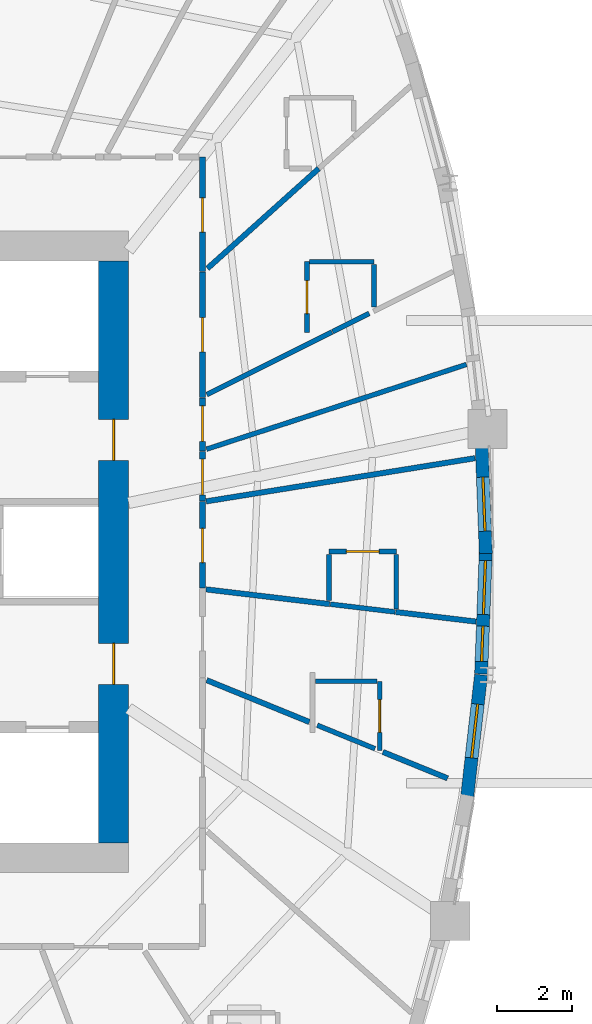
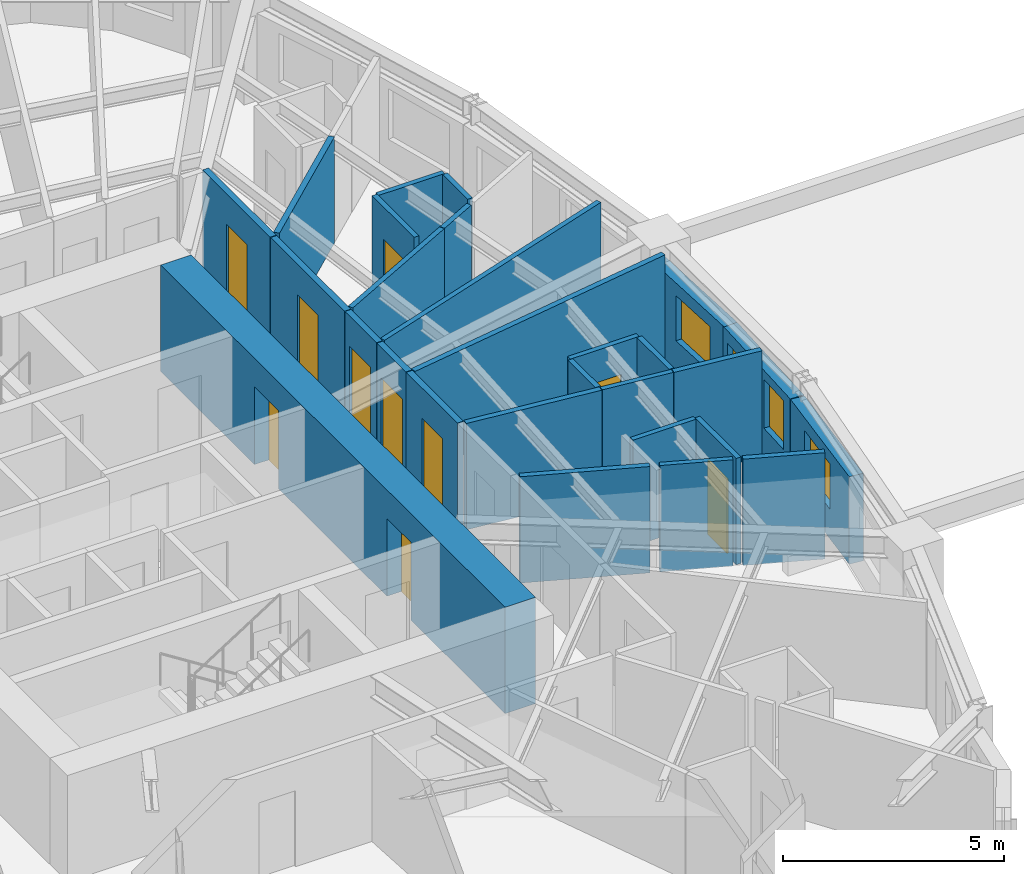
# One storey, part 7 of 15: 28 walls, 10 doors, 4 windows, 14 openings.
"""IFC4 building model written with IfcOpenShell, lengths in metres."""

from ifc_helpers import new_model, si_unit, direction, frame, frame_2d, origin, place, context, subcontext, project, spatial, rectangle, extrude, source, transform, mapped, material, layer, layer_set, type_object, element, fill, save


model = new_model("IFC4")

# Units and contexts
model_context = context("Model", 3, precision=1e-05, world=origin(), true_north=direction((0.0, 1.0)))
body_context = subcontext(model_context, "Body", "Model", "MODEL_VIEW")
ifc_project = project(units=[si_unit("LENGTHUNIT", "METRE"), si_unit("AREAUNIT", "SQUARE_METRE"), si_unit("VOLUMEUNIT", "CUBIC_METRE"), si_unit("PLANEANGLEUNIT", "RADIAN"), si_unit("MASSUNIT", "GRAM", prefix="KILO")], contexts=[model_context])

# Site, building, storey
site_placement = place(None, origin())
site = spatial("IfcSite", under=ifc_project, at=site_placement, CompositionType="ELEMENT")
building_placement = place(site_placement, origin())
building = spatial("IfcBuilding", under=site, at=building_placement, Name="Qafzar Sky-Pleat Residences", CompositionType="ELEMENT")
storey_placement = place(building_placement, frame((0.0, 0.0, 36.60009765625)))
storey = spatial("IfcBuildingStorey", under=building, at=storey_placement, Name="L10", CompositionType="ELEMENT", Elevation=36.60009765625)

# Wall, opening, door
ifc_material_1 = material(Name="Acoustic gypsum plasterboard partition", Category="gypsum")
ifc_layer_1 = layer(ifc_material_1, 0.159912109375)
ifc_layer_set_1 = layer_set([ifc_layer_1], Name="Acoustic gypsum plasterboard partition")
wall_type_1 = type_object("IfcWallType", Name="PART-COR-160", PredefinedType="PARTITIONING", material=ifc_layer_set_1)
wall_1_placement = place(storey_placement, frame((38.679931640625, 33.49609375, 0.0), z_axis=(0.0, 0.0, 1.0), x_axis=(0.0, -1.0, 0.0)))
wall_1 = element("IfcWall", 1, at=wall_1_placement, inside=storey, type_object=wall_type_1, Name="L10 Partition Wall PART-L10-PW-007", PredefinedType="PARTITIONING", context=body_context, shape_type="SweptSolid", body=[
    extrude(rectangle(XDim=3.35498046875, YDim=0.159912109375, at=frame_2d((1.677490234375, 0.0))), origin(), (0.0, 0.0, 1.0), 2.93994140625),
])
opening_1_placement = place(wall_1_placement, frame((1.218994140625, 0.0, 0.0)))
opening_1 = element("IfcOpeningElement", 2, at=opening_1_placement, cuts=wall_1, Name="Opening ID-04", PredefinedType="OPENING", context=body_context, shape_type="SweptSolid", body=[
    extrude(rectangle(XDim=0.919921875, YDim=2.10009765625, at=frame_2d((0.4599609375, 1.050048828125))), frame((0.0, 0.08984375, 0.0), z_axis=(0.0, -1.0, 0.0), x_axis=(1.0, 0.0, 0.0)), (0.0, 0.0, 1.0), 0.179931640625),
])
ifc_material_2 = material(Name="Timber-faced fire door", Category="wood")
door_type_1 = type_object("IfcDoorType", Name="DR-BED-920", OperationType="NOTDEFINED", PredefinedType="DOOR", material=ifc_material_2)
shared_shape_1 = source(origin(), body_context, "Body", "SweptSolid", [
    extrude(rectangle(XDim=0.919921875, YDim=2.10009765625, at=frame_2d((0.4599609375, 1.050048828125))), frame((0.0, 0.02490234375, 0.0), z_axis=(0.0, -1.0, 0.0), x_axis=(1.0, 0.0, 0.0)), (0.0, 0.0, 1.0), 0.050048828125),
])
door_1_placement = place(opening_1_placement, origin())
door_1 = element("IfcDoor", 3, at=door_1_placement, inside=storey, type_object=door_type_1, Name="L10 Co-Living Bedroom 8 Door", OperationType="SINGLE_SWING_RIGHT", OverallHeight=2.10009765625, OverallWidth=0.919921875, PredefinedType="DOOR", context=body_context, shape_type="MappedRepresentation", body=[
    mapped(shared_shape_1, transform((0.0, 0.0, 0.0), x_axis=(1.0, 0.0, 0.0), y_axis=(0.0, 1.0, 0.0), z_axis=(0.0, 0.0, 1.0), scale=1.0)),
])
fill(opening_1, door_1)

wall_2_placement = place(storey_placement, frame((38.679931640625, 36.580078125, 0.0), z_axis=(0.0, 0.0, 1.0), x_axis=(0.0, -1.0, 0.0)))
wall_2 = element("IfcWall", 4, at=wall_2_placement, inside=storey, type_object=wall_type_1, Name="L10 Partition Wall PART-L10-PW-011", PredefinedType="PARTITIONING", context=body_context, shape_type="SweptSolid", body=[
    extrude(rectangle(XDim=3.069091796875, YDim=0.159912109375, at=frame_2d((1.53466796875, 0.0))), origin(), (0.0, 0.0, 1.0), 2.93994140625),
])
opening_2_placement = place(wall_2_placement, frame((1.092041015625, 0.0, 0.0)))
opening_2 = element("IfcOpeningElement", 5, at=opening_2_placement, cuts=wall_2, Name="Opening ID-04", PredefinedType="OPENING", context=body_context, shape_type="SweptSolid", body=[
    extrude(rectangle(XDim=0.919921875, YDim=2.10009765625, at=frame_2d((0.4599609375, 1.050048828125))), frame((0.0, 0.08984375, 0.0), z_axis=(0.0, -1.0, 0.0), x_axis=(1.0, 0.0, 0.0)), (0.0, 0.0, 1.0), 0.179931640625),
])
door_2_placement = place(opening_2_placement, origin())
door_2 = element("IfcDoor", 6, at=door_2_placement, inside=storey, type_object=door_type_1, Name="L10 Co-Living Bedroom 7 Door", OperationType="SINGLE_SWING_RIGHT", OverallHeight=2.10009765625, OverallWidth=0.919921875, PredefinedType="DOOR", context=body_context, shape_type="MappedRepresentation", body=[
    mapped(shared_shape_1, transform((0.0, 0.0, 0.0), x_axis=(1.0, 0.0, 0.0), y_axis=(0.0, 1.0, 0.0), z_axis=(0.0, 0.0, 1.0), scale=1.0)),
])
fill(opening_2, door_2)

wall_3_placement = place(storey_placement, frame((38.679931640625, 27.35302734375, 0.0), z_axis=(0.0, 0.0, 1.0), x_axis=(0.0, -1.0, 0.0)))
wall_3 = element("IfcWall", 7, at=wall_3_placement, inside=storey, type_object=wall_type_1, Name="L10 Partition Wall PART-L10-PW-017", PredefinedType="PARTITIONING", context=body_context, shape_type="SweptSolid", body=[
    extrude(rectangle(XDim=2.317138671875, YDim=0.159912109375, at=frame_2d((1.15869140625, 0.0))), origin(), (0.0, 0.0, 1.0), 2.93994140625),
])
opening_3_placement = place(wall_3_placement, frame((0.721435546875, 0.0, 0.0)))
opening_3 = element("IfcOpeningElement", 8, at=opening_3_placement, cuts=wall_3, Name="Opening ID-04", PredefinedType="OPENING", context=body_context, shape_type="SweptSolid", body=[
    extrude(rectangle(XDim=0.919921875, YDim=2.10009765625, at=frame_2d((0.4599609375, 1.050048828125))), frame((0.0, 0.08984375, 0.0), z_axis=(0.0, -1.0, 0.0), x_axis=(1.0, 0.0, 0.0)), (0.0, 0.0, 1.0), 0.179931640625),
])
door_3_placement = place(opening_3_placement, origin())
door_3 = element("IfcDoor", 9, at=door_3_placement, inside=storey, type_object=door_type_1, Name="L10 Co-Living Bedroom 6 Door", OperationType="SINGLE_SWING_LEFT", OverallHeight=2.10009765625, OverallWidth=0.919921875, PredefinedType="DOOR", context=body_context, shape_type="MappedRepresentation", body=[
    mapped(shared_shape_1, transform((0.0, 0.0, 0.0), x_axis=(1.0, 0.0, 0.0), y_axis=(0.0, 1.0, 0.0), z_axis=(0.0, 0.0, 1.0), scale=1.0)),
])
fill(opening_3, door_3)

wall_4_placement = place(storey_placement, frame((38.679931640625, 30.1259765625, 0.0), z_axis=(0.0, 0.0, 1.0), x_axis=(0.0, -1.0, 0.0)))
wall_4 = element("IfcWall", 10, at=wall_4_placement, inside=storey, type_object=wall_type_1, Name="L10 Partition Wall PART-L10-PW-033", PredefinedType="PARTITIONING", context=body_context, shape_type="SweptSolid", body=[
    extrude(rectangle(XDim=1.426025390625, YDim=0.159912109375, at=frame_2d((0.712890625, 0.0))), origin(), (0.0, 0.0, 1.0), 2.93994140625),
])
opening_4_placement = place(wall_4_placement, frame((0.214111328125, 0.0, 0.0)))
opening_4 = element("IfcOpeningElement", 11, at=opening_4_placement, cuts=wall_4, Name="Opening ID-08", PredefinedType="OPENING", context=body_context, shape_type="SweptSolid", body=[
    extrude(rectangle(XDim=0.949951171875, YDim=2.10009765625, at=frame_2d((0.47509765625, 1.050048828125))), frame((0.0, 0.08984375, 0.0), z_axis=(0.0, -1.0, 0.0), x_axis=(1.0, 0.0, 0.0)), (0.0, 0.0, 1.0), 0.179931640625),
])
door_type_2 = type_object("IfcDoorType", Name="DR-AWC-950", OperationType="NOTDEFINED", PredefinedType="DOOR", material=ifc_material_2)
shared_shape_2 = source(origin(), body_context, "Body", "SweptSolid", [
    extrude(rectangle(XDim=0.949951171875, YDim=2.10009765625, at=frame_2d((0.47509765625, 1.050048828125))), frame((0.0, 0.02490234375, 0.0), z_axis=(0.0, -1.0, 0.0), x_axis=(1.0, 0.0, 0.0)), (0.0, 0.0, 1.0), 0.050048828125),
])
door_4_placement = place(opening_4_placement, origin())
door_4 = element("IfcDoor", 12, at=door_4_placement, inside=storey, type_object=door_type_2, Name="L10 Accessible Shared Washroom Door", OperationType="SINGLE_SWING_LEFT", OverallHeight=2.10009765625, OverallWidth=0.949951171875, PredefinedType="DOOR", context=body_context, shape_type="MappedRepresentation", body=[
    mapped(shared_shape_2, transform((0.0, 0.0, 0.0), x_axis=(1.0, 0.0, 0.0), y_axis=(0.0, 1.0, 0.0), z_axis=(0.0, 0.0, 1.0), scale=1.0)),
])
fill(opening_4, door_4)

wall_5_placement = place(storey_placement, frame((38.679931640625, 28.68505859375, 0.0), z_axis=(0.0, 0.0, 1.0), x_axis=(0.0, -1.0, 0.0)))
wall_5 = element("IfcWall", 13, at=wall_5_placement, inside=storey, type_object=wall_type_1, Name="L10 Partition Wall PART-L10-PW-035", PredefinedType="PARTITIONING", context=body_context, shape_type="SweptSolid", body=[
    extrude(rectangle(XDim=1.317138671875, YDim=0.159912109375, at=frame_2d((0.65869140625, 0.0))), origin(), (0.0, 0.0, 1.0), 2.93994140625),
])
opening_5_placement = place(wall_5_placement, frame((0.1962890625, 0.0, 0.0)))
opening_5 = element("IfcOpeningElement", 14, at=opening_5_placement, cuts=wall_5, Name="Opening ID-06", PredefinedType="OPENING", context=body_context, shape_type="SweptSolid", body=[
    extrude(rectangle(XDim=0.9599609375, YDim=2.10009765625, at=frame_2d((0.47998046875, 1.050048828125))), frame((0.0, 0.08984375, 0.0), z_axis=(0.0, -1.0, 0.0), x_axis=(1.0, 0.0, 0.0)), (0.0, 0.0, 1.0), 0.179931640625),
])
door_type_3 = type_object("IfcDoorType", Name="DR-STD-960", OperationType="NOTDEFINED", PredefinedType="DOOR", material=ifc_material_2)
shared_shape_3 = source(origin(), body_context, "Body", "SweptSolid", [
    extrude(rectangle(XDim=0.9599609375, YDim=2.10009765625, at=frame_2d((0.47998046875, 1.050048828125))), frame((0.0, 0.02490234375, 0.0), z_axis=(0.0, -1.0, 0.0), x_axis=(1.0, 0.0, 0.0)), (0.0, 0.0, 1.0), 0.050048828125),
])
door_5_placement = place(opening_5_placement, origin())
door_5 = element("IfcDoor", 15, at=door_5_placement, inside=storey, type_object=door_type_3, Name="L10 Scholar Study Room Door", OperationType="SINGLE_SWING_LEFT", OverallHeight=2.10009765625, OverallWidth=0.9599609375, PredefinedType="DOOR", context=body_context, shape_type="MappedRepresentation", body=[
    mapped(shared_shape_3, transform((0.0, 0.0, 0.0), x_axis=(1.0, 0.0, 0.0), y_axis=(0.0, 1.0, 0.0), z_axis=(0.0, 0.0, 1.0), scale=1.0)),
])
fill(opening_5, door_5)

# Walls
ifc_layer_2 = layer(ifc_material_1, 0.14501953125)
ifc_layer_set_2 = layer_set([ifc_layer_2], Name="Acoustic gypsum plasterboard partition")
wall_type_2 = type_object("IfcWallType", Name="PART-UNIT-145", PredefinedType="PARTITIONING", material=ifc_layer_set_2)
wall_6_placement = place(storey_placement, frame((38.779296875, 27.35302734375, 0.0), z_axis=(0.0, 0.0, 1.0), x_axis=(0.987345710334, 0.158582622897, 0.0)))
element("IfcWall", 16, at=wall_6_placement, inside=storey, type_object=wall_type_2, Name="L10 Partition Wall PART-L10-PW-048", PredefinedType="PARTITIONING", context=body_context, shape_type="SweptSolid", body=[
    extrude(rectangle(XDim=7.30029296875, YDim=0.14501953125, at=frame_2d((3.650146484375, 0.0))), origin(), (0.0, 0.0, 1.0), 2.93994140625),
])
wall_7_placement = place(storey_placement, frame((38.814453125, 33.5966796875, 0.0), z_axis=(0.0, 0.0, 1.0), x_axis=(0.74417856937, 0.667980730927, 0.0)))
element("IfcWall", 17, at=wall_7_placement, inside=storey, type_object=wall_type_2, Name="L10 Partition Wall PART-L10-PW-053", PredefinedType="PARTITIONING", context=body_context, shape_type="SweptSolid", body=[
    extrude(rectangle(XDim=4.005126953125, YDim=0.14501953125, at=frame_2d((2.00244140625, 0.0))), origin(), (0.0, 0.0, 1.0), 2.93994140625),
])
wall_8_placement = place(storey_placement, frame((38.776611328125, 24.994384765625, 0.0), z_axis=(0.0, 0.0, 1.0), x_axis=(0.992964132073, -0.1184155075, 0.0)))
element("IfcWall", 18, at=wall_8_placement, inside=storey, type_object=wall_type_2, Name="L10 Partition Wall PART-L10-PW-057", PredefinedType="PARTITIONING", context=body_context, shape_type="SweptSolid", body=[
    extrude(rectangle(XDim=3.337890625, YDim=0.14501953125, at=frame_2d((1.6689453125, 0.0))), origin(), (0.0, 0.0, 1.0), 2.93994140625),
])
wall_9_placement = place(storey_placement, frame((38.794921875, 22.560302734375, 0.0), z_axis=(0.0, 0.0, 1.0), x_axis=(0.926055147025, -0.377388214799, 0.0)))
element("IfcWall", 19, at=wall_9_placement, inside=storey, type_object=wall_type_2, Name="L10 Partition Wall PART-L10-PW-060", PredefinedType="PARTITIONING", context=body_context, shape_type="SweptSolid", body=[
    extrude(rectangle(XDim=2.971923828125, YDim=0.14501953125, at=frame_2d((1.48583984375, 0.0))), origin(), (0.0, 0.0, 1.0), 2.93994140625),
])
wall_10_placement = place(storey_placement, frame((43.516845703125, 20.636474609375, 0.0), z_axis=(0.0, 0.0, 1.0), x_axis=(0.926048504925, -0.377404513124, 0.0)))
element("IfcWall", 20, at=wall_10_placement, inside=storey, type_object=wall_type_2, Name="L10 Partition Wall PART-L10-PW-065", PredefinedType="PARTITIONING", context=body_context, shape_type="SweptSolid", body=[
    extrude(rectangle(XDim=1.873291015625, YDim=0.14501953125, at=frame_2d((0.9365234375, 0.0))), origin(), (0.0, 0.0, 1.0), 2.93994140625),
])
wall_11_placement = place(storey_placement, frame((43.861083984375, 24.387939453125, 0.0), z_axis=(0.0, 0.0, 1.0), x_axis=(0.992948573357, -0.118545901105, 0.0)))
element("IfcWall", 21, at=wall_11_placement, inside=storey, type_object=wall_type_2, Name="L10 Partition Wall PART-L10-PW-067", PredefinedType="PARTITIONING", context=body_context, shape_type="SweptSolid", body=[
    extrude(rectangle(XDim=2.168701171875, YDim=0.14501953125, at=frame_2d((1.08447265625, 0.0))), origin(), (0.0, 0.0, 1.0), 2.93994140625),
])

# Wall, opening, door
ifc_material_3 = material(Name="Moisture-resistant gypsum partition", Category="gypsum")
ifc_layer_3 = layer(ifc_material_3, 0.1298828125)
ifc_layer_set_3 = layer_set([ifc_layer_3], Name="Moisture-resistant gypsum partition")
wall_type_3 = type_object("IfcWallType", Name="PART-WET-130", PredefinedType="PARTITIONING", material=ifc_layer_set_3)
wall_12_placement = place(storey_placement, frame((41.48193359375, 33.777099609375, 0.0), z_axis=(0.0, 0.0, 1.0), x_axis=(0.0, -1.0, 0.0)))
wall_12 = element("IfcWall", 22, at=wall_12_placement, inside=storey, type_object=wall_type_3, Name="L10 Partition Wall PART-L10-PW-020", PredefinedType="PARTITIONING", context=body_context, shape_type="SweptSolid", body=[
    extrude(rectangle(XDim=1.900146484375, YDim=0.1298828125, at=frame_2d((0.9501953125, 0.0))), origin(), (0.0, 0.0, 1.0), 2.93994140625),
])
opening_6_placement = place(wall_12_placement, frame((0.510009765625, 0.0, 0.0)))
opening_6 = element("IfcOpeningElement", 23, at=opening_6_placement, cuts=wall_12, Name="Opening ID-07", PredefinedType="OPENING", context=body_context, shape_type="SweptSolid", body=[
    extrude(rectangle(XDim=0.8798828125, YDim=2.050048828125, at=frame_2d((0.43994140625, 1.02490234375))), frame((0.0, 0.074951171875, 0.0), z_axis=(0.0, -1.0, 0.0), x_axis=(1.0, 0.0, 0.0)), (0.0, 0.0, 1.0), 0.14990234375),
])
door_type_4 = type_object("IfcDoorType", Name="DR-WET-880", OperationType="NOTDEFINED", PredefinedType="DOOR", material=ifc_material_2)
shared_shape_4 = source(origin(), body_context, "Body", "SweptSolid", [
    extrude(rectangle(XDim=0.8798828125, YDim=2.050048828125, at=frame_2d((0.43994140625, 1.02490234375))), frame((0.0, 0.02490234375, 0.0), z_axis=(0.0, -1.0, 0.0), x_axis=(1.0, 0.0, 0.0)), (0.0, 0.0, 1.0), 0.050048828125),
])
door_6_placement = place(opening_6_placement, origin())
door_6 = element("IfcDoor", 24, at=door_6_placement, inside=storey, type_object=door_type_4, Name="L10 En-suite Bathroom 8 Door", OperationType="SINGLE_SWING_RIGHT", OverallHeight=2.050048828125, OverallWidth=0.8798828125, PredefinedType="DOOR", context=body_context, shape_type="MappedRepresentation", body=[
    mapped(shared_shape_4, transform((0.0, 0.0, 0.0), x_axis=(1.0, 0.0, 0.0), y_axis=(0.0, 1.0, 0.0), z_axis=(0.0, 0.0, 1.0), scale=1.0)),
])
fill(opening_6, door_6)

wall_13_placement = place(storey_placement, frame((43.431884765625, 20.6708984375, 0.0), z_axis=(0.0, 0.0, 1.0), x_axis=(0.0, 1.0, 0.0)))
wall_13 = element("IfcWall", 25, at=wall_13_placement, inside=storey, type_object=wall_type_3, Name="L10 Partition Wall PART-L10-PW-028", PredefinedType="PARTITIONING", context=body_context, shape_type="SweptSolid", body=[
    extrude(rectangle(XDim=1.859130859375, YDim=0.1298828125, at=frame_2d((0.9296875, 0.0))), origin(), (0.0, 0.0, 1.0), 2.93994140625),
])
opening_7_placement = place(wall_13_placement, frame((0.489501953125, 0.0, 0.0)))
opening_7 = element("IfcOpeningElement", 26, at=opening_7_placement, cuts=wall_13, Name="Opening ID-07", PredefinedType="OPENING", context=body_context, shape_type="SweptSolid", body=[
    extrude(rectangle(XDim=0.8798828125, YDim=2.050048828125, at=frame_2d((0.43994140625, 1.02490234375))), frame((0.0, 0.074951171875, 0.0), z_axis=(0.0, -1.0, 0.0), x_axis=(1.0, 0.0, 0.0)), (0.0, 0.0, 1.0), 0.14990234375),
])
door_7_placement = place(opening_7_placement, origin())
door_7 = element("IfcDoor", 27, at=door_7_placement, inside=storey, type_object=door_type_4, Name="L10 En-suite Bathroom 5 Door", OperationType="SINGLE_SWING_RIGHT", OverallHeight=2.050048828125, OverallWidth=0.8798828125, PredefinedType="DOOR", context=body_context, shape_type="MappedRepresentation", body=[
    mapped(shared_shape_4, transform((0.0, 0.0, 0.0), x_axis=(1.0, 0.0, 0.0), y_axis=(0.0, 1.0, 0.0), z_axis=(0.0, 0.0, 1.0), scale=1.0)),
])
fill(opening_7, door_7)

wall_14_placement = place(storey_placement, frame((43.8759765625, 26.008056640625, 0.0), z_axis=(0.0, 0.0, 1.0), x_axis=(-1.0, 0.0, 0.0)))
wall_14 = element("IfcWall", 28, at=wall_14_placement, inside=storey, type_object=wall_type_3, Name="L10 Partition Wall PART-L10-PW-031", PredefinedType="PARTITIONING", context=body_context, shape_type="SweptSolid", body=[
    extrude(rectangle(XDim=1.800048828125, YDim=0.1298828125, at=frame_2d((0.89990234375, 0.0))), origin(), (0.0, 0.0, 1.0), 2.93994140625),
])
opening_8_placement = place(wall_14_placement, frame((0.4599609375, 0.0, 0.0)))
opening_8 = element("IfcOpeningElement", 29, at=opening_8_placement, cuts=wall_14, Name="Opening ID-07", PredefinedType="OPENING", context=body_context, shape_type="SweptSolid", body=[
    extrude(rectangle(XDim=0.8798828125, YDim=2.050048828125, at=frame_2d((0.43994140625, 1.02490234375))), frame((0.0, 0.074951171875, 0.0), z_axis=(0.0, -1.0, 0.0), x_axis=(1.0, 0.0, 0.0)), (0.0, 0.0, 1.0), 0.14990234375),
])
door_8_placement = place(opening_8_placement, origin())
door_8 = element("IfcDoor", 30, at=door_8_placement, inside=storey, type_object=door_type_4, Name="L10 En-suite Bathroom 6 Door", OperationType="SINGLE_SWING_LEFT", OverallHeight=2.050048828125, OverallWidth=0.8798828125, PredefinedType="DOOR", context=body_context, shape_type="MappedRepresentation", body=[
    mapped(shared_shape_4, transform((0.0, 0.0, 0.0), x_axis=(1.0, 0.0, 0.0), y_axis=(0.0, 1.0, 0.0), z_axis=(0.0, 0.0, 1.0), scale=1.0)),
])
fill(opening_8, door_8)

# Walls
wall_15_placement = place(storey_placement, frame((38.787841796875, 28.751220703125, 0.0), z_axis=(0.0, 0.0, 1.0), x_axis=(0.95075822996, 0.309933522169, 0.0)))
element("IfcWall", 31, at=wall_15_placement, inside=storey, type_object=wall_type_3, Name="L10 Partition Wall PART-L10-PW-047", PredefinedType="PARTITIONING", context=body_context, shape_type="SweptSolid", body=[
    extrude(rectangle(XDim=7.327392578125, YDim=0.1298828125, at=frame_2d((3.66357421875, 0.0))), origin(), (0.0, 0.0, 1.0), 2.93994140625),
])
wall_16_placement = place(storey_placement, frame((38.796142578125, 30.216064453125, 0.0), z_axis=(0.0, 0.0, 1.0), x_axis=(0.894739227469, 0.446588977503, 0.0)))
element("IfcWall", 32, at=wall_16_placement, inside=storey, type_object=wall_type_3, Name="L10 Partition Wall PART-L10-PW-054", PredefinedType="PARTITIONING", context=body_context, shape_type="SweptSolid", body=[
    extrude(rectangle(XDim=3.7529296875, YDim=0.1298828125, at=frame_2d((1.87646484375, 0.0))), origin(), (0.0, 0.0, 1.0), 2.93994140625),
])
wall_17_placement = place(storey_placement, frame((41.7578125, 21.352783203125, 0.0), z_axis=(0.0, 0.0, 1.0), x_axis=(0.926203809775, -0.377023212492, 0.0)))
element("IfcWall", 33, at=wall_17_placement, inside=storey, type_object=wall_type_3, Name="L10 Partition Wall PART-L10-PW-070", PredefinedType="PARTITIONING", context=body_context, shape_type="SweptSolid", body=[
    extrude(rectangle(XDim=1.671875, YDim=0.1298828125, at=frame_2d((0.8359375, 0.0))), origin(), (0.0, 0.0, 1.0), 2.93994140625),
])
wall_18_placement = place(storey_placement, frame((41.705078125, 22.530029296875, 0.0), z_axis=(0.0, 0.0, 1.0), x_axis=(1.0, 0.0, 0.0)))
element("IfcWall", 34, at=wall_18_placement, inside=storey, type_object=wall_type_3, Name="L10 Partition Wall PART-L10-PW-075", PredefinedType="PARTITIONING", context=body_context, shape_type="SweptSolid", body=[
    extrude(rectangle(XDim=1.65380859375, YDim=0.1298828125, at=frame_2d((0.826904296875, 0.0))), origin(), (0.0, 0.0, 1.0), 2.93994140625),
])
wall_19_placement = place(storey_placement, frame((41.554931640625, 33.777099609375, 0.0), z_axis=(0.0, 0.0, 1.0), x_axis=(1.0, 0.0, 0.0)))
element("IfcWall", 35, at=wall_19_placement, inside=storey, type_object=wall_type_3, Name="L10 Partition Wall PART-L10-PW-081", PredefinedType="PARTITIONING", context=body_context, shape_type="SweptSolid", body=[
    extrude(rectangle(XDim=1.72705078125, YDim=0.1298828125, at=frame_2d((0.863525390625, 0.0))), origin(), (0.0, 0.0, 1.0), 2.93994140625),
])
wall_20_placement = place(storey_placement, frame((42.10595703125, 24.59765625, 0.0), z_axis=(0.0, 0.0, 1.0), x_axis=(0.992915674768, -0.118821137848, 0.0)))
element("IfcWall", 36, at=wall_20_placement, inside=storey, type_object=wall_type_3, Name="L10 Partition Wall PART-L10-PW-082", PredefinedType="PARTITIONING", context=body_context, shape_type="SweptSolid", body=[
    extrude(rectangle(XDim=1.752685546875, YDim=0.1298828125, at=frame_2d((0.87646484375, 0.0))), origin(), (0.0, 0.0, 1.0), 2.93994140625),
])
wall_21_placement = place(storey_placement, frame((43.8759765625, 24.474853515625, 0.0), z_axis=(0.0, 0.0, 1.0), x_axis=(0.0, 1.0, 0.0)))
element("IfcWall", 37, at=wall_21_placement, inside=storey, type_object=wall_type_3, Name="L10 Partition Wall PART-L10-PW-086", PredefinedType="PARTITIONING", context=body_context, shape_type="SweptSolid", body=[
    extrude(rectangle(XDim=1.460205078125, YDim=0.1298828125, at=frame_2d((0.72998046875, 0.0))), origin(), (0.0, 0.0, 1.0), 2.93994140625),
])
wall_22_placement = place(storey_placement, frame((42.075927734375, 24.689697265625, 0.0), z_axis=(0.0, 0.0, 1.0), x_axis=(0.0, 1.0, 0.0)))
element("IfcWall", 38, at=wall_22_placement, inside=storey, type_object=wall_type_3, Name="L10 Partition Wall PART-L10-PW-090", PredefinedType="PARTITIONING", context=body_context, shape_type="SweptSolid", body=[
    extrude(rectangle(XDim=1.245361328125, YDim=0.1298828125, at=frame_2d((0.62255859375, 0.0))), origin(), (0.0, 0.0, 1.0), 2.93994140625),
])
wall_23_placement = place(storey_placement, frame((43.281982421875, 32.568115234375, 0.0), z_axis=(0.0, 0.0, 1.0), x_axis=(0.0, 1.0, 0.0)))
element("IfcWall", 39, at=wall_23_placement, inside=storey, type_object=wall_type_3, Name="L10 Partition Wall PART-L10-PW-092", PredefinedType="PARTITIONING", context=body_context, shape_type="SweptSolid", body=[
    extrude(rectangle(XDim=1.135986328125, YDim=0.1298828125, at=frame_2d((0.56787109375, 0.0))), origin(), (0.0, 0.0, 1.0), 2.93994140625),
])
wall_24_placement = place(storey_placement, frame((42.16748046875, 31.898681640625, 0.0), z_axis=(0.0, 0.0, 1.0), x_axis=(0.894604533516, 0.446858734515, 0.0)))
element("IfcWall", 40, at=wall_24_placement, inside=storey, type_object=wall_type_3, Name="L10 Partition Wall PART-L10-PW-096", PredefinedType="PARTITIONING", context=body_context, shape_type="SweptSolid", body=[
    extrude(rectangle(XDim=1.100830078125, YDim=0.1298828125, at=frame_2d((0.55029296875, 0.0))), origin(), (0.0, 0.0, 1.0), 2.93994140625),
])

# Wall, opening, window
ifc_material_4 = material(Name="Precast concrete C40/50 with honed Riyadh limestone", Category="concrete")
ifc_layer_4 = layer(ifc_material_4, 0.35009765625)
ifc_layer_set_4 = layer_set([ifc_layer_4], Name="Precast concrete C40/50 with honed Riyadh limestone")
wall_type_4 = type_object("IfcWallType", Name="WALL-EXT-350", PredefinedType="SOLIDWALL", material=ifc_layer_set_4)
wall_25_placement = place(storey_placement, frame((45.770263671875, 19.38818359375, 0.0), z_axis=(0.0, 0.0, 1.0), x_axis=(0.113282408476, 0.993562829382, 0.0)))
wall_25 = element("IfcWall", 41, at=wall_25_placement, inside=storey, type_object=wall_type_4, Name="L10 Limestone Facade Wall 26", PredefinedType="SOLIDWALL", context=body_context, shape_type="SweptSolid", body=[
    extrude(rectangle(XDim=3.336181640625, YDim=0.35009765625, at=frame_2d((1.66796875, 0.0))), origin(), (0.0, 0.0, 1.0), 2.419921875),
])
opening_9_placement = place(wall_25_placement, frame((1.09521484375, 0.0, 0.820068359375)))
opening_9 = element("IfcOpeningElement", 42, at=opening_9_placement, cuts=wall_25, Name="Opening WN-15", PredefinedType="OPENING", context=body_context, shape_type="SweptSolid", body=[
    extrude(rectangle(XDim=1.449951171875, YDim=1.25, at=frame_2d((0.72509765625, 0.625))), frame((0.0, 0.18505859375, 0.0), z_axis=(0.0, -1.0, 0.0), x_axis=(1.0, 0.0, 0.0)), (0.0, 0.0, 1.0), 0.3701171875),
])
ifc_material_5 = material(Name="Solar-control low-E glass in bronze aluminium frame", Category="glass")
window_type_1 = type_object("IfcWindowType", Name="WIN-15", PartitioningType="SINGLE_PANEL", PredefinedType="WINDOW", material=ifc_material_5)
shared_shape_5 = source(origin(), body_context, "Body", "SweptSolid", [
    extrude(rectangle(XDim=1.449951171875, YDim=1.25, at=frame_2d((0.72509765625, 0.625))), frame((0.0, 0.030029296875, 0.0), z_axis=(0.0, -1.0, 0.0), x_axis=(1.0, 0.0, 0.0)), (0.0, 0.0, 1.0), 0.06005859375),
])
window_1_placement = place(opening_9_placement, origin())
window_1 = element("IfcWindow", 43, at=window_1_placement, inside=storey, type_object=window_type_1, Name="L10 Punched Facade Window 26", OverallHeight=1.25, OverallWidth=1.449951171875, PartitioningType="SINGLE_PANEL", PredefinedType="WINDOW", context=body_context, shape_type="MappedRepresentation", body=[
    mapped(shared_shape_5, transform((0.0, 0.0, 0.0), x_axis=(1.0, 0.0, 0.0), y_axis=(0.0, 1.0, 0.0), z_axis=(0.0, 0.0, 1.0), scale=1.0)),
])
fill(opening_9, window_1)

# Wall, openings, windows
wall_26_placement = place(storey_placement, frame((46.150146484375, 22.7294921875, 0.0), z_axis=(0.0, 0.0, 1.0), x_axis=(0.03797244671, 0.999278786571, 0.0)))
wall_26 = element("IfcWall", 44, at=wall_26_placement, inside=storey, type_object=wall_type_4, Name="L10 Limestone Facade Wall 27", PredefinedType="SOLIDWALL", context=body_context, shape_type="SweptSolid", body=[
    extrude(rectangle(XDim=3.317626953125, YDim=0.35009765625, at=frame_2d((1.65869140625, 0.0))), origin(), (0.0, 0.0, 1.0), 2.419921875),
])
opening_10_placement = place(wall_26_placement, frame((0.33154296875, 0.0, 0.820068359375)))
opening_10 = element("IfcOpeningElement", 45, at=opening_10_placement, cuts=wall_26, Name="Opening WN-12", PredefinedType="OPENING", context=body_context, shape_type="SweptSolid", body=[
    extrude(rectangle(XDim=0.949951171875, YDim=1.35009765625, at=frame_2d((0.47509765625, 0.675048828125))), frame((0.0, 0.18505859375, 0.0), z_axis=(0.0, -1.0, 0.0), x_axis=(1.0, 0.0, 0.0)), (0.0, 0.0, 1.0), 0.3701171875),
])
opening_11_placement = place(wall_26_placement, frame((1.59033203125, 0.0, 0.820068359375)))
opening_11 = element("IfcOpeningElement", 46, at=opening_11_placement, cuts=wall_26, Name="Opening WN-15", PredefinedType="OPENING", context=body_context, shape_type="SweptSolid", body=[
    extrude(rectangle(XDim=1.449951171875, YDim=1.25, at=frame_2d((0.72509765625, 0.625))), frame((0.0, 0.18505859375, 0.0), z_axis=(0.0, -1.0, 0.0), x_axis=(1.0, 0.0, 0.0)), (0.0, 0.0, 1.0), 0.3701171875),
])
window_type_2 = type_object("IfcWindowType", Name="WIN-12", PartitioningType="SINGLE_PANEL", PredefinedType="WINDOW", material=ifc_material_5)
shared_shape_6 = source(origin(), body_context, "Body", "SweptSolid", [
    extrude(rectangle(XDim=0.949951171875, YDim=1.35009765625, at=frame_2d((0.47509765625, 0.675048828125))), frame((0.0, 0.030029296875, 0.0), z_axis=(0.0, -1.0, 0.0), x_axis=(1.0, 0.0, 0.0)), (0.0, 0.0, 1.0), 0.06005859375),
])
window_2_placement = place(opening_10_placement, origin())
window_2 = element("IfcWindow", 47, at=window_2_placement, inside=storey, type_object=window_type_2, Name="L10 Punched Facade Window 27", OverallHeight=1.35009765625, OverallWidth=0.949951171875, PartitioningType="SINGLE_PANEL", PredefinedType="WINDOW", context=body_context, shape_type="MappedRepresentation", body=[
    mapped(shared_shape_6, transform((0.0, 0.0, 0.0), x_axis=(1.0, 0.0, 0.0), y_axis=(0.0, 1.0, 0.0), z_axis=(0.0, 0.0, 1.0), scale=1.0)),
])
fill(opening_10, window_2)
window_3_placement = place(opening_11_placement, origin())
window_3 = element("IfcWindow", 48, at=window_3_placement, inside=storey, type_object=window_type_1, Name="L10 Punched Facade Window 27-2", OverallHeight=1.25, OverallWidth=1.449951171875, PartitioningType="SINGLE_PANEL", PredefinedType="WINDOW", context=body_context, shape_type="MappedRepresentation", body=[
    mapped(shared_shape_5, transform((0.0, 0.0, 0.0), x_axis=(1.0, 0.0, 0.0), y_axis=(0.0, 1.0, 0.0), z_axis=(0.0, 0.0, 1.0), scale=1.0)),
])
fill(opening_11, window_3)

# Wall, opening, window
wall_27_placement = place(storey_placement, frame((46.276123046875, 25.955322265625, 0.0), z_axis=(0.0, 0.0, 1.0), x_axis=(-0.037939203929, 0.999280049238, 0.0)))
wall_27 = element("IfcWall", 49, at=wall_27_placement, inside=storey, type_object=wall_type_4, Name="L10 Limestone Facade Wall 28", PredefinedType="SOLIDWALL", context=body_context, shape_type="SweptSolid", body=[
    extrude(rectangle(XDim=3.037353515625, YDim=0.35009765625, at=frame_2d((1.5185546875, 0.0))), origin(), (0.0, 0.0, 1.0), 2.419921875),
])
opening_12_placement = place(wall_27_placement, frame((0.598876953125, 0.0, 0.820068359375)))
opening_12 = element("IfcOpeningElement", 50, at=opening_12_placement, cuts=wall_27, Name="Opening WN-15", PredefinedType="OPENING", context=body_context, shape_type="SweptSolid", body=[
    extrude(rectangle(XDim=1.449951171875, YDim=1.25, at=frame_2d((0.72509765625, 0.625))), frame((0.0, 0.18505859375, 0.0), z_axis=(0.0, -1.0, 0.0), x_axis=(1.0, 0.0, 0.0)), (0.0, 0.0, 1.0), 0.3701171875),
])
window_4_placement = place(opening_12_placement, origin())
window_4 = element("IfcWindow", 51, at=window_4_placement, inside=storey, type_object=window_type_1, Name="L10 Punched Facade Window 28", OverallHeight=1.25, OverallWidth=1.449951171875, PartitioningType="SINGLE_PANEL", PredefinedType="WINDOW", context=body_context, shape_type="MappedRepresentation", body=[
    mapped(shared_shape_5, transform((0.0, 0.0, 0.0), x_axis=(1.0, 0.0, 0.0), y_axis=(0.0, 1.0, 0.0), z_axis=(0.0, 0.0, 1.0), scale=1.0)),
])
fill(opening_12, window_4)

# Wall, openings, doors
ifc_material_6 = material(Name="Concrete C60/75", Category="concrete")
ifc_layer_5 = layer(ifc_material_6, 0.800048828125)
ifc_layer_set_5 = layer_set([ifc_layer_5], Name="Concrete C60/75")
wall_type_5 = type_object("IfcWallType", Name="WALL-SHEAR-800", PredefinedType="SHEAR", material=ifc_layer_set_5)
wall_28_placement = place(storey_placement, frame((36.300048828125, 18.199951171875, 0.0), z_axis=(0.0, 0.0, 1.0), x_axis=(0.0, 1.0, 0.0)))
wall_28 = element("IfcWall", 52, at=wall_28_placement, inside=storey, type_object=wall_type_5, Name="L10 CORE wall E", PredefinedType="SHEAR", context=body_context, shape_type="SweptSolid", body=[
    extrude(rectangle(XDim=15.60009765625, YDim=0.800048828125, at=frame_2d((7.800048828125, 0.0))), origin(), (0.0, 0.0, 1.0), 2.93994140625),
])
opening_13_placement = place(wall_28_placement, frame((4.25, 0.0, 0.0)))
opening_13 = element("IfcOpeningElement", 53, at=opening_13_placement, cuts=wall_28, Name="Opening ID-02", PredefinedType="OPENING", context=body_context, shape_type="SweptSolid", body=[
    extrude(rectangle(XDim=1.10009765625, YDim=2.14990234375, at=frame_2d((0.550048828125, 1.074951171875))), frame((0.0, 0.41015625, 0.0), z_axis=(0.0, -1.0, 0.0), x_axis=(1.0, 0.0, 0.0)), (0.0, 0.0, 1.0), 0.820068359375),
])
opening_14_placement = place(wall_28_placement, frame((10.25, 0.0, 0.0)))
opening_14 = element("IfcOpeningElement", 54, at=opening_14_placement, cuts=wall_28, Name="Opening ID-02", PredefinedType="OPENING", context=body_context, shape_type="SweptSolid", body=[
    extrude(rectangle(XDim=1.10009765625, YDim=2.14990234375, at=frame_2d((0.550048828125, 1.074951171875))), frame((0.0, 0.41015625, 0.0), z_axis=(0.0, -1.0, 0.0), x_axis=(1.0, 0.0, 0.0)), (0.0, 0.0, 1.0), 0.820068359375),
])
door_type_5 = type_object("IfcDoorType", Name="DR-FFL-1100", OperationType="NOTDEFINED", PredefinedType="DOOR", material=ifc_material_2)
shared_shape_7 = source(origin(), body_context, "Body", "SweptSolid", [
    extrude(rectangle(XDim=1.10009765625, YDim=2.14990234375, at=frame_2d((0.550048828125, 1.074951171875))), frame((0.0, 0.02490234375, 0.0), z_axis=(0.0, -1.0, 0.0), x_axis=(1.0, 0.0, 0.0)), (0.0, 0.0, 1.0), 0.050048828125),
])
door_9_placement = place(opening_13_placement, origin())
door_9 = element("IfcDoor", 55, at=door_9_placement, inside=storey, type_object=door_type_5, Name="L10 Firefighting Lobby South Corridor Door", OperationType="SINGLE_SWING_RIGHT", OverallHeight=2.14990234375, OverallWidth=1.10009765625, PredefinedType="DOOR", context=body_context, shape_type="MappedRepresentation", body=[
    mapped(shared_shape_7, transform((0.0, 0.0, 0.0), x_axis=(1.0, 0.0, 0.0), y_axis=(0.0, 1.0, 0.0), z_axis=(0.0, 0.0, 1.0), scale=1.0)),
])
fill(opening_13, door_9)
door_10_placement = place(opening_14_placement, origin())
door_10 = element("IfcDoor", 56, at=door_10_placement, inside=storey, type_object=door_type_5, Name="L10 Firefighting Lobby North Corridor Door", OperationType="SINGLE_SWING_LEFT", OverallHeight=2.14990234375, OverallWidth=1.10009765625, PredefinedType="DOOR", context=body_context, shape_type="MappedRepresentation", body=[
    mapped(shared_shape_7, transform((0.0, 0.0, 0.0), x_axis=(1.0, 0.0, 0.0), y_axis=(0.0, 1.0, 0.0), z_axis=(0.0, 0.0, 1.0), scale=1.0)),
])
fill(opening_14, door_10)

save(model, "model.ifc")
